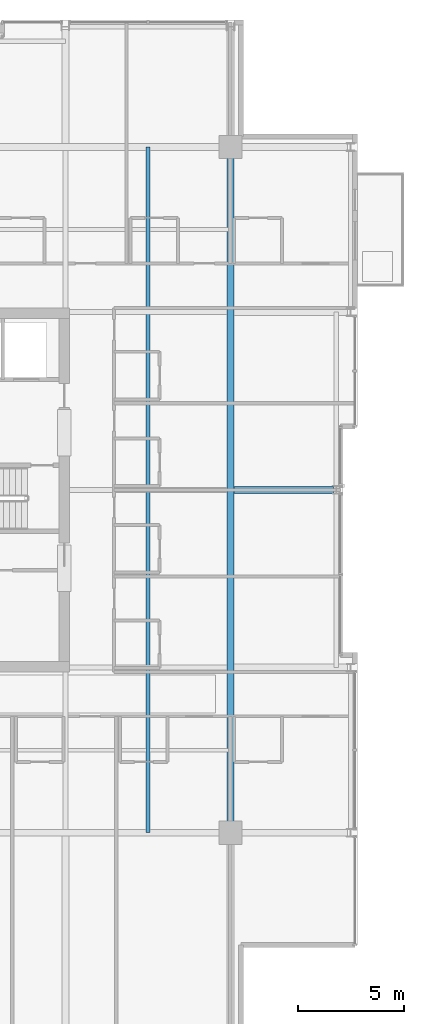
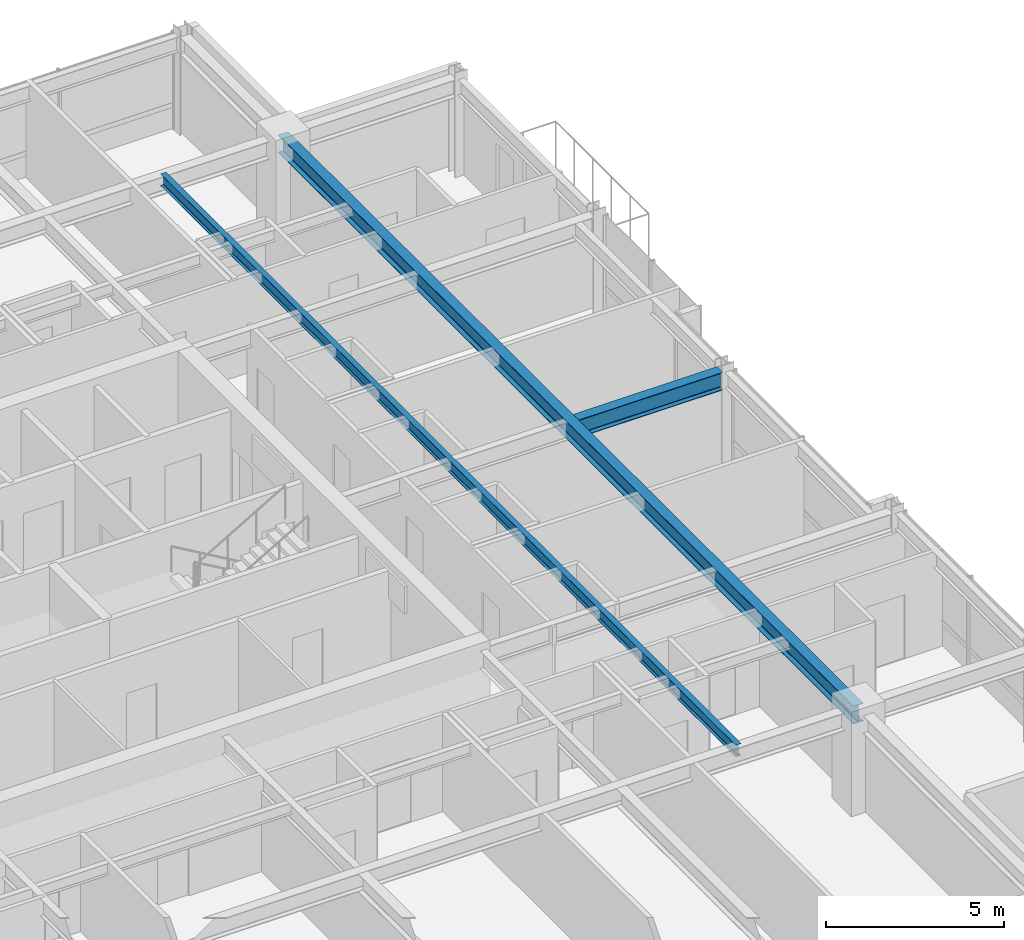
# One storey, part 15 of 33: 3 beams.
"""IFC4 building model written with IfcOpenShell, lengths in metres."""

import ifcopenshell
import ifcopenshell.guid

model = None  # the IFC model being written
_history = None  # IfcOwnerHistory: only IFC2X3 demands one
_inside = {}  # id of a spatial element -> (the spatial element, [elements in it])
_under = {}  # id of a project, library or spatial element -> (it, [spatial elements below it])
_declared = {}  # id of a project -> (the project, [libraries it declares])
_typed = {}  # id of a type object -> (the type object, [elements of that type])
_made_of = {}  # id of a material, layer set ... -> (it, [elements and type objects made of it])


def new_model(schema):
    """Start an empty IFC model of exactly this schema.

    Asked for "IFC4X3", IfcOpenShell would pick the latest addendum, in which some entities
    have other attributes; the version numbers below select the first issue.
    IFC2X3 requires an IfcOwnerHistory on every rooted entity: one is made here for all.
    """
    global model, _history
    if schema == "IFC4X3":
        model = ifcopenshell.file(schema_version=(4, 3, 0, 0))
    else:
        model = ifcopenshell.file(schema=schema)
    _inside.clear()
    _under.clear()
    _declared.clear()
    _typed.clear()
    _made_of.clear()
    _history = None
    if model.schema == "IFC2X3":
        org = make("IfcOrganization", Name="unknown")
        user = make(
            "IfcPersonAndOrganization",
            ThePerson=make("IfcPerson", FamilyName="unknown"),
            TheOrganization=org,
        )
        app = make(
            "IfcApplication",
            ApplicationDeveloper=org,
            Version="unknown",
            ApplicationFullName="unknown",
            ApplicationIdentifier="unknown",
        )
        _history = make(
            "IfcOwnerHistory",
            OwningUser=user,
            OwningApplication=app,
            ChangeAction="ADDED",
            CreationDate=0,
        )
    return model


def make(cls, **values):
    """One entity of the class cls with the attributes given. An attribute that is None is left unset."""
    return model.create_entity(
        cls, **{name: value for name, value in values.items() if value is not None}
    )


def rooted(cls, **values):
    """An entity with a GlobalId (a new one), such as an element, a storey or a relation."""
    return make(cls, GlobalId=ifcopenshell.guid.new(), OwnerHistory=_history, **values)


def si_unit(unit_type, name, prefix=None):
    """IfcSIUnit, for example si_unit("LENGTHUNIT", "METRE", prefix="MILLI")."""
    return make("IfcSIUnit", UnitType=unit_type, Prefix=prefix, Name=name)


def assignment(units):
    """IfcUnitAssignment: the units of a project."""
    return None if units is None else make("IfcUnitAssignment", Units=units)


def point(xyz):
    """IfcCartesianPoint."""
    return None if xyz is None else make("IfcCartesianPoint", Coordinates=xyz)


def direction(xyz):
    """IfcDirection."""
    return None if xyz is None else make("IfcDirection", DirectionRatios=xyz)


def frame(location, z_axis=None, x_axis=None):
    """IfcAxis2Placement3D, a coordinate frame: its origin and axes. An axis left out is left unset."""
    return make(
        "IfcAxis2Placement3D",
        Location=point(location),
        Axis=direction(z_axis),
        RefDirection=direction(x_axis),
    )


def frame_2d(location, x_axis=None):
    """IfcAxis2Placement2D, a coordinate frame in the plane: its origin and x axis."""
    return make(
        "IfcAxis2Placement2D", Location=point(location), RefDirection=direction(x_axis)
    )


def origin():
    """The frame at (0, 0, 0) with its axes left unset."""
    return frame((0.0, 0.0, 0.0))


def origin_2d():
    """The frame at (0, 0) in the plane with its x axis left unset."""
    return frame_2d((0.0, 0.0))


def place(relative_to, where):
    """IfcLocalPlacement: puts the frame where relative to a parent placement (None: the world)."""
    return make(
        "IfcLocalPlacement", PlacementRelTo=relative_to, RelativePlacement=where
    )


def context(
    kind, dimensions, precision=None, world=None, true_north=None, identifier=None
):
    """IfcGeometricRepresentationContext, for example the 3D "Model" context."""
    return make(
        "IfcGeometricRepresentationContext",
        ContextIdentifier=identifier,
        ContextType=kind,
        CoordinateSpaceDimension=dimensions,
        Precision=precision,
        WorldCoordinateSystem=world,
        TrueNorth=true_north,
    )


def subcontext(parent, identifier, kind, view, scale=None):
    """IfcGeometricRepresentationSubContext, for example "Body" below "Model"."""
    return make(
        "IfcGeometricRepresentationSubContext",
        ContextIdentifier=identifier,
        ContextType=kind,
        ParentContext=parent,
        TargetScale=scale,
        TargetView=view,
    )


def project(units=None, contexts=None):
    """IfcProject with its units and contexts."""
    return rooted(
        "IfcProject",
        Name="project",
        RepresentationContexts=contexts,
        UnitsInContext=assignment(units),
    )


def spatial(cls, under=None, at=None, **own):
    """A site, building, storey or space (cls), placed at a placement, below another one or the project."""
    s = rooted(cls, ObjectPlacement=at, **own)
    if under is not None:
        _under.setdefault(under.id(), (under, []))[1].append(s)
    return s


def profile(cls, at=None, kind="AREA", **sizes):
    """A parametric profile (cls). Its sizes go by their IFC names, for example OverallWidth=200.0."""
    return make(cls, ProfileType=kind, Position=at, **sizes)


def i_section(**sizes):
    """IfcIShapeProfileDef."""
    return profile("IfcIShapeProfileDef", **sizes)


def extrude(swept, where, along, depth):
    """IfcExtrudedAreaSolid: the profile swept, set in the frame where, extruded along a direction by depth."""
    return make(
        "IfcExtrudedAreaSolid",
        SweptArea=swept,
        Position=where,
        ExtrudedDirection=direction(along),
        Depth=depth,
    )


def shape(context_of_items, identifier, shape_type, items):
    """IfcShapeRepresentation: the items that make up one representation, for example the "Body"."""
    return make(
        "IfcShapeRepresentation",
        ContextOfItems=context_of_items,
        RepresentationIdentifier=identifier,
        RepresentationType=shape_type,
        Items=items,
    )


def material(Name=None, Category=None):
    """IfcMaterial."""
    return make("IfcMaterial", Name=Name, Category=Category)


def material_profile(
    of_material, cross_section, Name=None, Category=None, Priority=None
):
    """IfcMaterialProfile: a cross section and its material."""
    return make(
        "IfcMaterialProfile",
        Name=Name,
        Material=of_material,
        Profile=cross_section,
        Priority=Priority,
        Category=Category,
    )


def profile_set(profiles, Name=None, composite=None):
    """IfcMaterialProfileSet."""
    return make(
        "IfcMaterialProfileSet",
        Name=Name,
        MaterialProfiles=profiles,
        CompositeProfile=composite,
    )


def made_of(thing, what):
    """Note that an element or type object is made of a material, layer set ...; save() writes the relation."""
    if what is not None:
        _made_of.setdefault(what.id(), (what, []))[1].append(thing)
    return thing


def type_object(cls, material=None, **own):
    """A type object (cls), such as IfcWallType, which elements share."""
    return made_of(rooted(cls, **own), material)


def element(
    cls,
    number,
    at=None,
    inside=None,
    cuts=None,
    type_object=None,
    material=None,
    context=None,
    identifier="Body",
    shape_type=None,
    held_by="IfcProductDefinitionShape",
    body=None,
    shapes=None,
    **own,
):
    """One element of the class cls, such as IfcWall. Its Tag is "e" and its number.

    at: its placement. inside: the storey or other place that contains it. cuts: it is an
    opening in that element (IfcRelVoidsElement). A single representation is given by context,
    identifier, shape_type and body (its items); several are given by shapes. held_by: the class
    of the entity that holds the representations. save() writes the other relations.
    """
    e = rooted(cls, Tag="e%d" % number, ObjectPlacement=at, **own)
    if body is not None:
        shapes = [shape(context, identifier, shape_type, body)]
    if shapes is not None:
        e.Representation = make(held_by, Representations=shapes)
    if inside is not None:
        _inside.setdefault(inside.id(), (inside, []))[1].append(e)
    if cuts is not None:
        rooted(
            "IfcRelVoidsElement", RelatingBuildingElement=cuts, RelatedOpeningElement=e
        )
    if type_object is not None:
        _typed.setdefault(type_object.id(), (type_object, []))[1].append(e)
    return made_of(e, material)


def aggregate(whole, parts):
    """IfcRelAggregates: a whole, such as a stair, and the parts it consists of."""
    return rooted("IfcRelAggregates", RelatingObject=whole, RelatedObjects=parts)


def save(model, path):
    """Write the relations noted so far, then the file.

    IfcRelAggregates (storeys below a building ...), IfcRelContainedInSpatialStructure (elements
    in a storey), IfcRelDefinesByType, IfcRelAssociatesMaterial and IfcRelDeclares: one each for
    every whole, place, type object, material and project.
    """
    for whole, parts in _under.values():
        aggregate(whole, parts)
    for where, things in _inside.values():
        rooted(
            "IfcRelContainedInSpatialStructure",
            RelatedElements=things,
            RelatingStructure=where,
        )
    for kind, things in _typed.values():
        rooted("IfcRelDefinesByType", RelatedObjects=things, RelatingType=kind)
    for what, things in _made_of.values():
        rooted("IfcRelAssociatesMaterial", RelatedObjects=things, RelatingMaterial=what)
    for by, libraries in _declared.values():
        rooted("IfcRelDeclares", RelatingContext=by, RelatedDefinitions=libraries)
    model.write(path)


model = new_model("IFC4")

# Units and contexts
model_context = context("Model", 3, precision=1e-05, world=origin(), true_north=direction((0.0, 1.0)))
body_context = subcontext(model_context, "Body", "Model", "MODEL_VIEW")
ifc_project = project(units=[si_unit("LENGTHUNIT", "METRE"), si_unit("AREAUNIT", "SQUARE_METRE"), si_unit("VOLUMEUNIT", "CUBIC_METRE"), si_unit("PLANEANGLEUNIT", "RADIAN"), si_unit("MASSUNIT", "GRAM", prefix="KILO")], contexts=[model_context])

# Site, building, storey
site_placement = place(None, origin())
site = spatial("IfcSite", under=ifc_project, at=site_placement, CompositionType="ELEMENT")
building_placement = place(site_placement, origin())
building = spatial("IfcBuilding", under=site, at=building_placement, Name="Drelvath Grand Hotel", CompositionType="ELEMENT")
storey_placement = place(building_placement, frame((0.0, 0.0, 212.300048828125)))
storey = spatial("IfcBuildingStorey", under=building, at=storey_placement, Name="L55", CompositionType="ELEMENT", Elevation=212.300048828125)

# Beams
ifc_material = material(Name="Steel ASTM A992 Gr 50", Category="steel")
ifc_material_profile_1 = material_profile(ifc_material, i_section(OverallWidth=0.177734375, OverallDepth=0.40673828125, WebThickness=0.0078125, FlangeThickness=0.0126953125, FilletRadius=0.014892578125, at=origin_2d()), Name="W16X40")
ifc_profile_set_1 = profile_set([ifc_material_profile_1], Name="Steel ASTM A992 Gr 50")
beam_type_1 = type_object("IfcBeamType", Name="Composite Floor Joist W16X40", PredefinedType="JOIST", material=ifc_profile_set_1)
beam_1_placement = place(storey_placement, frame((12.300048828125, 10.800048828125, 3.136474609375), z_axis=(0.0, 1.0, 0.0), x_axis=(-1.0, 0.0, 0.0)))
element("IfcBeam", 1, at=beam_1_placement, inside=storey, type_object=beam_type_1, Name="L55 Wing Floor Joist J4", PredefinedType="JOIST", context=body_context, shape_type="SweptSolid", body=[
    extrude(i_section(OverallWidth=0.177734375, OverallDepth=0.40673828125, WebThickness=0.0078125, FlangeThickness=0.0126953125, FilletRadius=0.014892578125, at=origin_2d()), origin(), (0.0, 0.0, 1.0), 32.39990234375),
])
ifc_material_profile_2 = material_profile(ifc_material, i_section(OverallWidth=0.323974609375, OverallDepth=0.611083984375, WebThickness=0.0126953125, FlangeThickness=0.01904296875, FilletRadius=0.02197265625, at=origin_2d()), Name="W24X104")
ifc_profile_set_2 = profile_set([ifc_material_profile_2], Name="Steel ASTM A992 Gr 50")
beam_type_2 = type_object("IfcBeamType", Name="Primary Floor Girder W24X104", PredefinedType="BEAM", material=ifc_profile_set_2)
beam_2_placement = place(storey_placement, frame((16.199951171875, 10.800048828125, 3.034423828125), z_axis=(0.0, 1.0, 0.0), x_axis=(-1.0, 0.0, 0.0)))
element("IfcBeam", 2, at=beam_2_placement, inside=storey, type_object=beam_type_2, Name="L55 Mega Ring Girder East", PredefinedType="BEAM", context=body_context, shape_type="SweptSolid", body=[
    extrude(i_section(OverallWidth=0.323974609375, OverallDepth=0.611083984375, WebThickness=0.0126953125, FlangeThickness=0.01904296875, FilletRadius=0.02197265625, at=origin_2d()), origin(), (0.0, 0.0, 1.0), 32.39990234375),
])
beam_3_placement = place(storey_placement, frame((16.362060546875, 27.0, 3.034423828125), z_axis=(1.0, 0.0, 0.0), x_axis=(0.0, 1.0, 0.0)))
element("IfcBeam", 3, at=beam_3_placement, inside=storey, type_object=beam_type_2, Name="L55 East Wing Girder E", PredefinedType="BEAM", context=body_context, shape_type="SweptSolid", body=[
    extrude(i_section(OverallWidth=0.323974609375, OverallDepth=0.611083984375, WebThickness=0.0126953125, FlangeThickness=0.01904296875, FilletRadius=0.02197265625, at=origin_2d()), origin(), (0.0, 0.0, 1.0), 4.697998046875),
])

save(model, "model.ifc")
